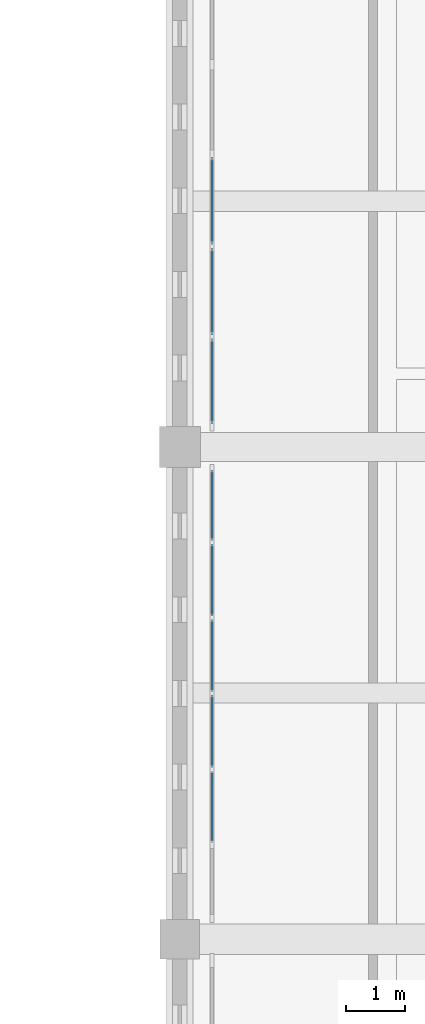
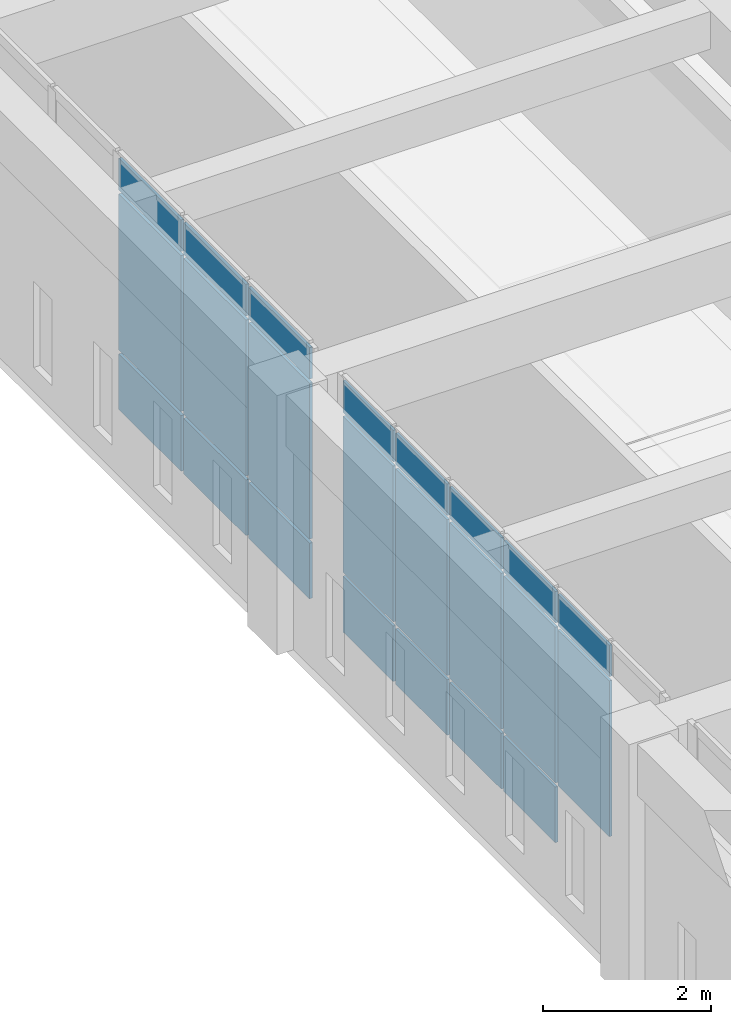
# One storey, part 57 of 110: 23 plates, 2 elements without a shape of their own.
"""IFC4 building model written with IfcOpenShell, lengths in metres."""

from ifc_helpers import new_model, si_unit, direction, frame, origin, origin_2d, place, context, subcontext, project, spatial, rectangle, extrude, material, layer, layer_set, type_object, element, aggregate, save


model = new_model("IFC4")

# Units and contexts
model_context = context("Model", 3, precision=1e-05, world=origin(), true_north=direction((0.0, 1.0)))
body_context = subcontext(model_context, "Body", "Model", "MODEL_VIEW")
ifc_project = project(units=[si_unit("LENGTHUNIT", "METRE"), si_unit("AREAUNIT", "SQUARE_METRE"), si_unit("VOLUMEUNIT", "CUBIC_METRE"), si_unit("PLANEANGLEUNIT", "RADIAN"), si_unit("MASSUNIT", "GRAM", prefix="KILO")], contexts=[model_context])

# Site, building, storey
site_placement = place(None, origin())
site = spatial("IfcSite", under=ifc_project, at=site_placement, CompositionType="ELEMENT")
building_placement = place(site_placement, origin())
building = spatial("IfcBuilding", under=site, at=building_placement, Name="Kveldsbrygga Polytechnic", CompositionType="ELEMENT")
storey_placement = place(building_placement, frame((0.0, 0.0, 9.860107421875)))
storey = spatial("IfcBuildingStorey", under=building, at=storey_placement, Name="L02", CompositionType="ELEMENT", Elevation=9.860107421875)

# Curtain wall, plates
ifc_material_1 = material(Name="Anodised aluminium AW-6060", Category="aluminium")
ifc_layer_1 = layer(ifc_material_1, 0.179931640625)
ifc_layer_set_1 = layer_set([ifc_layer_1], Name="Anodised aluminium AW-6060")
curtain_wall_type_1 = type_object("IfcCurtainWallType", Name="CW-CONC-A", PredefinedType="USERDEFINED", material=ifc_layer_set_1)
curtain_wall_1_placement = place(storey_placement, origin())
curtain_wall_1 = element("IfcCurtainWall", 1, at=curtain_wall_1_placement, inside=storey, type_object=curtain_wall_type_1, Name="Curtain Wall CW-L02-Y-15-06", ObjectType="UNITISED CURTAIN WALL", PredefinedType="USERDEFINED")
ifc_material_2 = material(Name="Insulated triple low-E glass", Category="glass")
ifc_layer_2 = layer(ifc_material_2, 0.035888671875)
ifc_layer_set_2 = layer_set([ifc_layer_2], Name="Insulated triple low-E glass")
plate_type_1 = type_object("IfcPlateType", Name="CW-PAN-VIS36", PredefinedType="CURTAIN_PANEL", material=ifc_layer_set_2)
plate_1_placement = place(storey_placement, frame((126.550048828125, 52.659912109375, 0.929931640625), z_axis=(0.0, 0.0, 1.0), x_axis=(0.0, 1.0, 0.0)))
plate_1 = element("IfcPlate", 2, at=plate_1_placement, type_object=plate_type_1, Name="CW-01 panel 2.2", PredefinedType="CURTAIN_PANEL", context=body_context, shape_type="SweptSolid", body=[
    extrude(rectangle(XDim=1.22998046875, YDim=0.035888671875, at=origin_2d()), origin(), (0.0, 0.0, 1.0), 2.27001953125),
])
plate_2_placement = place(storey_placement, frame((126.550048828125, 52.659912109375, 3.260009765625), z_axis=(0.0, 0.0, 1.0), x_axis=(0.0, 1.0, 0.0)))
plate_2 = element("IfcPlate", 3, at=plate_2_placement, type_object=plate_type_1, Name="CW-01 panel 2.3", PredefinedType="CURTAIN_PANEL", context=body_context, shape_type="SweptSolid", body=[
    extrude(rectangle(XDim=1.22998046875, YDim=0.035888671875, at=origin_2d()), origin(), (0.0, 0.0, 1.0), 0.4599609375),
])
plate_3_placement = place(storey_placement, frame((126.550048828125, 53.949951171875, 0.059814453125), z_axis=(0.0, 0.0, 1.0), x_axis=(0.0, 1.0, 0.0)))
plate_3 = element("IfcPlate", 4, at=plate_3_placement, type_object=plate_type_1, Name="CW-01 panel 3.1", PredefinedType="CURTAIN_PANEL", context=body_context, shape_type="SweptSolid", body=[
    extrude(rectangle(XDim=1.22998046875, YDim=0.035888671875, at=origin_2d()), origin(), (0.0, 0.0, 1.0), 0.81005859375),
])
plate_4_placement = place(storey_placement, frame((126.550048828125, 53.949951171875, 0.929931640625), z_axis=(0.0, 0.0, 1.0), x_axis=(0.0, 1.0, 0.0)))
plate_4 = element("IfcPlate", 5, at=plate_4_placement, type_object=plate_type_1, Name="CW-01 panel 3.2", PredefinedType="CURTAIN_PANEL", context=body_context, shape_type="SweptSolid", body=[
    extrude(rectangle(XDim=1.22998046875, YDim=0.035888671875, at=origin_2d()), origin(), (0.0, 0.0, 1.0), 2.27001953125),
])
plate_5_placement = place(storey_placement, frame((126.550048828125, 53.949951171875, 3.260009765625), z_axis=(0.0, 0.0, 1.0), x_axis=(0.0, 1.0, 0.0)))
plate_5 = element("IfcPlate", 6, at=plate_5_placement, type_object=plate_type_1, Name="CW-01 panel 3.3", PredefinedType="CURTAIN_PANEL", context=body_context, shape_type="SweptSolid", body=[
    extrude(rectangle(XDim=1.22998046875, YDim=0.035888671875, at=origin_2d()), origin(), (0.0, 0.0, 1.0), 0.4599609375),
])
plate_6_placement = place(storey_placement, frame((126.550048828125, 55.239990234375, 0.059814453125), z_axis=(0.0, 0.0, 1.0), x_axis=(0.0, 1.0, 0.0)))
plate_6 = element("IfcPlate", 7, at=plate_6_placement, type_object=plate_type_1, Name="CW-01 panel 4.1", PredefinedType="CURTAIN_PANEL", context=body_context, shape_type="SweptSolid", body=[
    extrude(rectangle(XDim=1.22998046875, YDim=0.035888671875, at=origin_2d()), origin(), (0.0, 0.0, 1.0), 0.81005859375),
])
plate_7_placement = place(storey_placement, frame((126.550048828125, 55.239990234375, 0.929931640625), z_axis=(0.0, 0.0, 1.0), x_axis=(0.0, 1.0, 0.0)))
plate_7 = element("IfcPlate", 8, at=plate_7_placement, type_object=plate_type_1, Name="CW-01 panel 4.2", PredefinedType="CURTAIN_PANEL", context=body_context, shape_type="SweptSolid", body=[
    extrude(rectangle(XDim=1.22998046875, YDim=0.035888671875, at=origin_2d()), origin(), (0.0, 0.0, 1.0), 2.27001953125),
])
plate_8_placement = place(storey_placement, frame((126.550048828125, 55.239990234375, 3.260009765625), z_axis=(0.0, 0.0, 1.0), x_axis=(0.0, 1.0, 0.0)))
plate_8 = element("IfcPlate", 9, at=plate_8_placement, type_object=plate_type_1, Name="CW-01 panel 4.3", PredefinedType="CURTAIN_PANEL", context=body_context, shape_type="SweptSolid", body=[
    extrude(rectangle(XDim=1.22998046875, YDim=0.035888671875, at=origin_2d()), origin(), (0.0, 0.0, 1.0), 0.4599609375),
])
plate_9_placement = place(storey_placement, frame((126.550048828125, 56.530029296875, 0.059814453125), z_axis=(0.0, 0.0, 1.0), x_axis=(0.0, 1.0, 0.0)))
plate_9 = element("IfcPlate", 10, at=plate_9_placement, type_object=plate_type_1, Name="CW-01 panel 5.1", PredefinedType="CURTAIN_PANEL", context=body_context, shape_type="SweptSolid", body=[
    extrude(rectangle(XDim=1.22998046875, YDim=0.035888671875, at=origin_2d()), origin(), (0.0, 0.0, 1.0), 0.81005859375),
])
plate_10_placement = place(storey_placement, frame((126.550048828125, 56.530029296875, 0.929931640625), z_axis=(0.0, 0.0, 1.0), x_axis=(0.0, 1.0, 0.0)))
plate_10 = element("IfcPlate", 11, at=plate_10_placement, type_object=plate_type_1, Name="CW-01 panel 5.2", PredefinedType="CURTAIN_PANEL", context=body_context, shape_type="SweptSolid", body=[
    extrude(rectangle(XDim=1.22998046875, YDim=0.035888671875, at=origin_2d()), origin(), (0.0, 0.0, 1.0), 2.27001953125),
])
plate_11_placement = place(storey_placement, frame((126.550048828125, 56.530029296875, 3.260009765625), z_axis=(0.0, 0.0, 1.0), x_axis=(0.0, 1.0, 0.0)))
plate_11 = element("IfcPlate", 12, at=plate_11_placement, type_object=plate_type_1, Name="CW-01 panel 5.3", PredefinedType="CURTAIN_PANEL", context=body_context, shape_type="SweptSolid", body=[
    extrude(rectangle(XDim=1.22998046875, YDim=0.035888671875, at=origin_2d()), origin(), (0.0, 0.0, 1.0), 0.4599609375),
])
plate_12_placement = place(storey_placement, frame((126.550048828125, 57.804931640625, 0.059814453125), z_axis=(0.0, 0.0, 1.0), x_axis=(0.0, 1.0, 0.0)))
plate_12 = element("IfcPlate", 13, at=plate_12_placement, type_object=plate_type_1, Name="CW-01 panel 6.1", PredefinedType="CURTAIN_PANEL", context=body_context, shape_type="SweptSolid", body=[
    extrude(rectangle(XDim=1.199951171875, YDim=0.035888671875, at=origin_2d()), origin(), (0.0, 0.0, 1.0), 0.81005859375),
])
plate_13_placement = place(storey_placement, frame((126.550048828125, 57.804931640625, 0.929931640625), z_axis=(0.0, 0.0, 1.0), x_axis=(0.0, 1.0, 0.0)))
plate_13 = element("IfcPlate", 14, at=plate_13_placement, type_object=plate_type_1, Name="CW-01 panel 6.2", PredefinedType="CURTAIN_PANEL", context=body_context, shape_type="SweptSolid", body=[
    extrude(rectangle(XDim=1.199951171875, YDim=0.035888671875, at=origin_2d()), origin(), (0.0, 0.0, 1.0), 2.27001953125),
])
plate_14_placement = place(storey_placement, frame((126.550048828125, 57.804931640625, 3.260009765625), z_axis=(0.0, 0.0, 1.0), x_axis=(0.0, 1.0, 0.0)))
plate_14 = element("IfcPlate", 15, at=plate_14_placement, type_object=plate_type_1, Name="CW-01 panel 6.3", PredefinedType="CURTAIN_PANEL", context=body_context, shape_type="SweptSolid", body=[
    extrude(rectangle(XDim=1.199951171875, YDim=0.035888671875, at=origin_2d()), origin(), (0.0, 0.0, 1.0), 0.4599609375),
])
aggregate(curtain_wall_1, [plate_1, plate_2, plate_3, plate_4, plate_5, plate_6, plate_7, plate_8, plate_9, plate_10, plate_11, plate_12, plate_13, plate_14])

ifc_layer_3 = layer(ifc_material_1, 0.199951171875)
ifc_layer_set_3 = layer_set([ifc_layer_3], Name="Anodised aluminium AW-6060")
curtain_wall_type_2 = type_object("IfcCurtainWallType", Name="CW-CONC-B", PredefinedType="USERDEFINED", material=ifc_layer_set_3)
curtain_wall_2_placement = place(storey_placement, origin())
curtain_wall_2 = element("IfcCurtainWall", 16, at=curtain_wall_2_placement, inside=storey, type_object=curtain_wall_type_2, Name="Curtain Wall CW-L02-Y-15-07", ObjectType="UNITISED CURTAIN WALL", PredefinedType="USERDEFINED")
ifc_layer_4 = layer(ifc_material_2, 0.0419921875)
ifc_layer_set_4 = layer_set([ifc_layer_4], Name="Insulated triple low-E glass")
plate_type_2 = type_object("IfcPlateType", Name="CW-PAN-VIS42", PredefinedType="CURTAIN_PANEL", material=ifc_layer_set_4)
plate_15_placement = place(storey_placement, frame((126.550048828125, 59.924072265625, 0.059814453125), z_axis=(0.0, 0.0, 1.0), x_axis=(0.0, 1.0, 0.0)))
plate_15 = element("IfcPlate", 17, at=plate_15_placement, type_object=plate_type_2, Name="CW-02 panel 1.1", PredefinedType="CURTAIN_PANEL", context=body_context, shape_type="SweptSolid", body=[
    extrude(rectangle(XDim=1.4580078125, YDim=0.0419921875, at=origin_2d()), origin(), (0.0, 0.0, 1.0), 0.81005859375),
])
plate_16_placement = place(storey_placement, frame((126.550048828125, 59.924072265625, 0.929931640625), z_axis=(0.0, 0.0, 1.0), x_axis=(0.0, 1.0, 0.0)))
plate_16 = element("IfcPlate", 18, at=plate_16_placement, type_object=plate_type_2, Name="CW-02 panel 1.2", PredefinedType="CURTAIN_PANEL", context=body_context, shape_type="SweptSolid", body=[
    extrude(rectangle(XDim=1.4580078125, YDim=0.0419921875, at=origin_2d()), origin(), (0.0, 0.0, 1.0), 2.27001953125),
])
plate_17_placement = place(storey_placement, frame((126.550048828125, 59.924072265625, 3.260009765625), z_axis=(0.0, 0.0, 1.0), x_axis=(0.0, 1.0, 0.0)))
plate_17 = element("IfcPlate", 19, at=plate_17_placement, type_object=plate_type_2, Name="CW-02 panel 1.3", PredefinedType="CURTAIN_PANEL", context=body_context, shape_type="SweptSolid", body=[
    extrude(rectangle(XDim=1.4580078125, YDim=0.0419921875, at=origin_2d()), origin(), (0.0, 0.0, 1.0), 0.4599609375),
])
plate_18_placement = place(storey_placement, frame((126.550048828125, 61.45703125, 0.059814453125), z_axis=(0.0, 0.0, 1.0), x_axis=(0.0, 1.0, 0.0)))
plate_18 = element("IfcPlate", 20, at=plate_18_placement, type_object=plate_type_2, Name="CW-02 panel 2.1", PredefinedType="CURTAIN_PANEL", context=body_context, shape_type="SweptSolid", body=[
    extrude(rectangle(XDim=1.488037109375, YDim=0.0419921875, at=origin_2d()), origin(), (0.0, 0.0, 1.0), 0.81005859375),
])
plate_19_placement = place(storey_placement, frame((126.550048828125, 61.45703125, 0.929931640625), z_axis=(0.0, 0.0, 1.0), x_axis=(0.0, 1.0, 0.0)))
plate_19 = element("IfcPlate", 21, at=plate_19_placement, type_object=plate_type_2, Name="CW-02 panel 2.2", PredefinedType="CURTAIN_PANEL", context=body_context, shape_type="SweptSolid", body=[
    extrude(rectangle(XDim=1.488037109375, YDim=0.0419921875, at=origin_2d()), origin(), (0.0, 0.0, 1.0), 2.27001953125),
])
plate_20_placement = place(storey_placement, frame((126.550048828125, 61.45703125, 3.260009765625), z_axis=(0.0, 0.0, 1.0), x_axis=(0.0, 1.0, 0.0)))
plate_20 = element("IfcPlate", 22, at=plate_20_placement, type_object=plate_type_2, Name="CW-02 panel 2.3", PredefinedType="CURTAIN_PANEL", context=body_context, shape_type="SweptSolid", body=[
    extrude(rectangle(XDim=1.488037109375, YDim=0.0419921875, at=origin_2d()), origin(), (0.0, 0.0, 1.0), 0.4599609375),
])
plate_21_placement = place(storey_placement, frame((126.550048828125, 63.0048828125, 0.059814453125), z_axis=(0.0, 0.0, 1.0), x_axis=(0.0, 1.0, 0.0)))
plate_21 = element("IfcPlate", 23, at=plate_21_placement, type_object=plate_type_2, Name="CW-02 panel 3.1", PredefinedType="CURTAIN_PANEL", context=body_context, shape_type="SweptSolid", body=[
    extrude(rectangle(XDim=1.488037109375, YDim=0.0419921875, at=origin_2d()), origin(), (0.0, 0.0, 1.0), 0.81005859375),
])
plate_22_placement = place(storey_placement, frame((126.550048828125, 63.0048828125, 0.929931640625), z_axis=(0.0, 0.0, 1.0), x_axis=(0.0, 1.0, 0.0)))
plate_22 = element("IfcPlate", 24, at=plate_22_placement, type_object=plate_type_2, Name="CW-02 panel 3.2", PredefinedType="CURTAIN_PANEL", context=body_context, shape_type="SweptSolid", body=[
    extrude(rectangle(XDim=1.488037109375, YDim=0.0419921875, at=origin_2d()), origin(), (0.0, 0.0, 1.0), 2.27001953125),
])
plate_23_placement = place(storey_placement, frame((126.550048828125, 63.0048828125, 3.260009765625), z_axis=(0.0, 0.0, 1.0), x_axis=(0.0, 1.0, 0.0)))
plate_23 = element("IfcPlate", 25, at=plate_23_placement, type_object=plate_type_2, Name="CW-02 panel 3.3", PredefinedType="CURTAIN_PANEL", context=body_context, shape_type="SweptSolid", body=[
    extrude(rectangle(XDim=1.488037109375, YDim=0.0419921875, at=origin_2d()), origin(), (0.0, 0.0, 1.0), 0.4599609375),
])
aggregate(curtain_wall_2, [plate_15, plate_16, plate_17, plate_18, plate_19, plate_20, plate_21, plate_22, plate_23])

save(model, "model.ifc")
